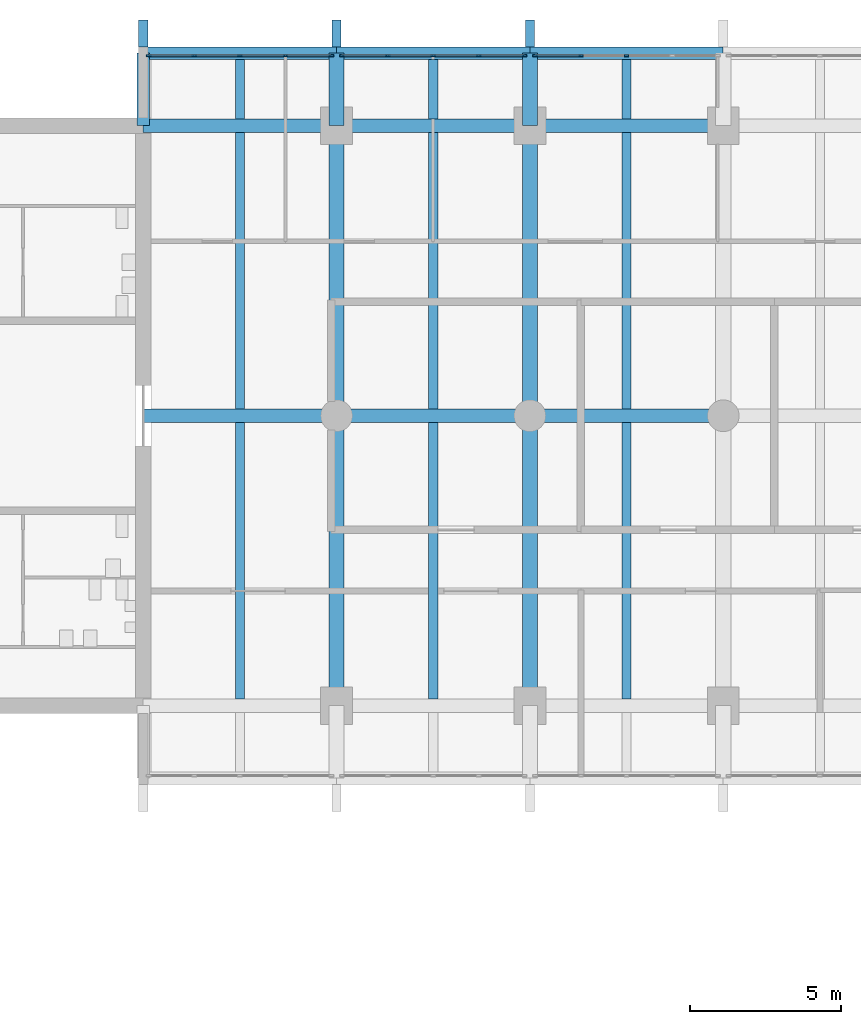
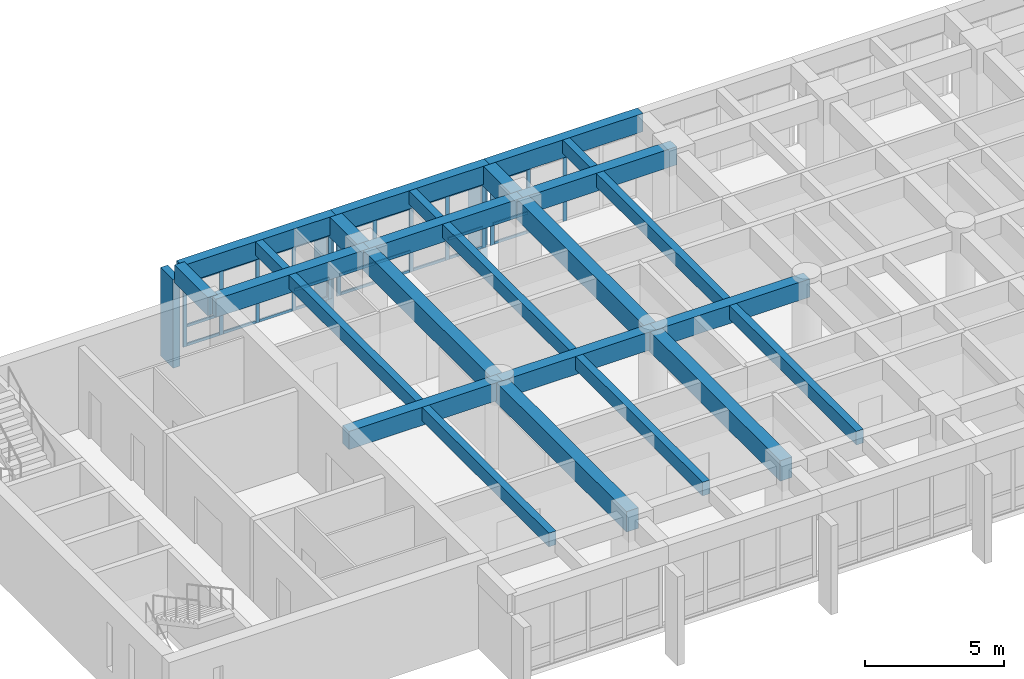
# One storey, part 4 of 19: 43 members, 25 beams, 3 elements without a shape of their own.
"""IFC4 building model written with IfcOpenShell, lengths in metres."""

from ifc_helpers import new_model, si_unit, direction, frame, origin, origin_2d, place, context, subcontext, project, spatial, rectangle, extrude, material, layer, layer_set, material_profile, profile_set, type_object, element, aggregate, save


model = new_model("IFC4")

# Units and contexts
model_context = context("Model", 3, precision=1e-05, world=origin(), true_north=direction((0.0, 1.0)))
body_context = subcontext(model_context, "Body", "Model", "MODEL_VIEW")
ifc_project = project(units=[si_unit("LENGTHUNIT", "METRE"), si_unit("AREAUNIT", "SQUARE_METRE"), si_unit("VOLUMEUNIT", "CUBIC_METRE"), si_unit("PLANEANGLEUNIT", "RADIAN"), si_unit("MASSUNIT", "GRAM", prefix="KILO")], contexts=[model_context])

# Site, building, storey
site_placement = place(None, origin())
site = spatial("IfcSite", under=ifc_project, at=site_placement, CompositionType="ELEMENT")
building_placement = place(site_placement, origin())
building = spatial("IfcBuilding", under=site, at=building_placement, Name="Fogon Plaza Fire Station and Headquarters Tower", CompositionType="ELEMENT")
storey_placement = place(building_placement, frame((0.0, 0.0, 21.0)))
storey = spatial("IfcBuildingStorey", under=building, at=storey_placement, Name="L05", CompositionType="ELEMENT", Elevation=21.0)

# Beams
ifc_material_1 = material(Name="Concrete C40", Category="concrete")
ifc_material_profile_1 = material_profile(ifc_material_1, rectangle(XDim=0.39990234375, YDim=0.800048828125, at=origin_2d()), Name="RC 400x800")
ifc_profile_set_1 = profile_set([ifc_material_profile_1], Name="Concrete C40")
beam_type_1 = type_object("IfcBeamType", Name="BEAM RC 400x800", PredefinedType="BEAM", material=ifc_profile_set_1)
for number, where, z_axis, x_axis, name in (
    (1, (25.60009765625, 55.199951171875, 3.280029296875), (1.0, 0.0, 0.0), (0.0, 1.0, 0.0), "beam-L05-045"),
    (2, (32.0, 55.199951171875, 3.280029296875), (1.0, 0.0, 0.0), (0.0, 1.0, 0.0), "beam-L05-046"),
):
    element("IfcBeam", number, at=place(storey_placement, frame(where, z_axis=z_axis, x_axis=x_axis)), inside=storey, type_object=beam_type_1, Name=name, PredefinedType="BEAM", context=body_context, shape_type="SweptSolid", body=[
        extrude(rectangle(XDim=0.39990234375, YDim=0.800048828125, at=origin_2d()), origin(), (0.0, 0.0, 1.0), 6.39990234375),
    ])
beam_1_placement = place(storey_placement, frame((38.39990234375, 55.199951171875, 3.280029296875), z_axis=(1.0, 0.0, 0.0), x_axis=(0.0, 1.0, 0.0)))
element("IfcBeam", 3, at=beam_1_placement, inside=storey, type_object=beam_type_1, Name="beam-L05-047", PredefinedType="BEAM", context=body_context, shape_type="SweptSolid", body=[
    extrude(rectangle(XDim=0.39990234375, YDim=0.800048828125, at=origin_2d()), origin(), (0.0, 0.0, 1.0), 6.400146484375),
])
ifc_material_2 = material(Name="Concrete C40", Category="concrete")
ifc_material_profile_2 = material_profile(ifc_material_2, rectangle(XDim=0.39990234375, YDim=0.800048828125, at=origin_2d()), Name="RC 400x800")
ifc_profile_set_2 = profile_set([ifc_material_profile_2], Name="Concrete C40")
beam_type_2 = type_object("IfcBeamType", Name="BEAM RC 400x800 SPAN 0.0 TO 3.0 M", PredefinedType="BEAM", material=ifc_profile_set_2)
beam_2_placement = place(storey_placement, frame((25.60009765625, 52.800048828125, 3.280029296875), z_axis=(0.0, 1.0, 0.0), x_axis=(-1.0, 0.0, 0.0)))
element("IfcBeam", 4, at=beam_2_placement, inside=storey, type_object=beam_type_2, Name="beam-L05-052", PredefinedType="BEAM", context=body_context, shape_type="SweptSolid", body=[
    extrude(rectangle(XDim=0.39990234375, YDim=0.800048828125, at=origin_2d()), origin(), (0.0, 0.0, 1.0), 2.39990234375),
])
ifc_material_3 = material(Name="Concrete C40", Category="concrete")
ifc_material_profile_3 = material_profile(ifc_material_3, rectangle(XDim=0.449951171875, YDim=0.800048828125, at=origin_2d()), Name="RC 450x800")
ifc_profile_set_3 = profile_set([ifc_material_profile_3], Name="Concrete C40")
beam_type_3 = type_object("IfcBeamType", Name="BEAM RC 450x800", PredefinedType="BEAM", material=ifc_profile_set_3)
for number, where, z_axis, x_axis, name in (
    (5, (25.60009765625, 43.199951171875, 3.280029296875), (1.0, 0.0, 0.0), (0.0, 1.0, 0.0), "beam-L05-027"),
    (6, (32.0, 43.199951171875, 3.280029296875), (1.0, 0.0, 0.0), (0.0, 1.0, 0.0), "beam-L05-028"),
):
    element("IfcBeam", number, at=place(storey_placement, frame(where, z_axis=z_axis, x_axis=x_axis)), inside=storey, type_object=beam_type_3, Name=name, PredefinedType="BEAM", context=body_context, shape_type="SweptSolid", body=[
        extrude(rectangle(XDim=0.449951171875, YDim=0.800048828125, at=origin_2d()), origin(), (0.0, 0.0, 1.0), 6.39990234375),
    ])
beam_3_placement = place(storey_placement, frame((38.39990234375, 43.199951171875, 3.280029296875), z_axis=(1.0, 0.0, 0.0), x_axis=(0.0, 1.0, 0.0)))
element("IfcBeam", 7, at=beam_3_placement, inside=storey, type_object=beam_type_3, Name="beam-L05-029", PredefinedType="BEAM", context=body_context, shape_type="SweptSolid", body=[
    extrude(rectangle(XDim=0.449951171875, YDim=0.800048828125, at=origin_2d()), origin(), (0.0, 0.0, 1.0), 6.400146484375),
])
for number, where, z_axis, x_axis, name in (
    (8, (25.60009765625, 52.800048828125, 3.280029296875), (1.0, 0.0, 0.0), (0.0, 1.0, 0.0), "beam-L05-033"),
    (9, (32.0, 52.800048828125, 3.280029296875), (1.0, 0.0, 0.0), (0.0, 1.0, 0.0), "beam-L05-034"),
):
    element("IfcBeam", number, at=place(storey_placement, frame(where, z_axis=z_axis, x_axis=x_axis)), inside=storey, type_object=beam_type_3, Name=name, PredefinedType="BEAM", context=body_context, shape_type="SweptSolid", body=[
        extrude(rectangle(XDim=0.449951171875, YDim=0.800048828125, at=origin_2d()), origin(), (0.0, 0.0, 1.0), 6.39990234375),
    ])
beam_4_placement = place(storey_placement, frame((38.39990234375, 52.800048828125, 3.280029296875), z_axis=(1.0, 0.0, 0.0), x_axis=(0.0, 1.0, 0.0)))
element("IfcBeam", 10, at=beam_4_placement, inside=storey, type_object=beam_type_3, Name="beam-L05-035", PredefinedType="BEAM", context=body_context, shape_type="SweptSolid", body=[
    extrude(rectangle(XDim=0.449951171875, YDim=0.800048828125, at=origin_2d()), origin(), (0.0, 0.0, 1.0), 6.400146484375),
])
ifc_material_4 = material(Name="Concrete C40", Category="concrete")
ifc_material_profile_4 = material_profile(ifc_material_4, rectangle(XDim=0.5, YDim=0.89990234375, at=origin_2d()), Name="RC 500x900")
ifc_profile_set_4 = profile_set([ifc_material_profile_4], Name="Concrete C40")
beam_type_4 = type_object("IfcBeamType", Name="BEAM RC 500x900 SPAN 0.0 TO 3.0 M", PredefinedType="BEAM", material=ifc_profile_set_4)
for number, where, z_axis, x_axis, name in (
    (11, (32.0, 52.800048828125, 3.22998046875), (0.0, 1.0, 0.0), (-1.0, 0.0, 0.0), "beam-L05-004"),
    (12, (38.39990234375, 52.800048828125, 3.22998046875), (0.0, 1.0, 0.0), (-1.0, 0.0, 0.0), "beam-L05-008"),
):
    element("IfcBeam", number, at=place(storey_placement, frame(where, z_axis=z_axis, x_axis=x_axis)), inside=storey, type_object=beam_type_4, Name=name, PredefinedType="BEAM", context=body_context, shape_type="SweptSolid", body=[
        extrude(rectangle(XDim=0.5, YDim=0.89990234375, at=origin_2d()), origin(), (0.0, 0.0, 1.0), 2.39990234375),
    ])
ifc_material_5 = material(Name="Concrete C40", Category="concrete")
ifc_material_profile_5 = material_profile(ifc_material_5, rectangle(XDim=0.5, YDim=0.89990234375, at=origin_2d()), Name="RC 500x900")
ifc_profile_set_5 = profile_set([ifc_material_profile_5], Name="Concrete C40")
beam_type_5 = type_object("IfcBeamType", Name="BEAM RC 500x900 SPAN 7.7 TO 12.3 M", PredefinedType="BEAM", material=ifc_profile_set_5)
beam_5_placement = place(storey_placement, frame((32.0, 33.60009765625, 3.22998046875), z_axis=(0.0, 1.0, 0.0), x_axis=(-1.0, 0.0, 0.0)))
element("IfcBeam", 13, at=beam_5_placement, inside=storey, type_object=beam_type_5, Name="beam-L05-002", PredefinedType="BEAM", context=body_context, shape_type="SweptSolid", body=[
    extrude(rectangle(XDim=0.5, YDim=0.89990234375, at=origin_2d()), origin(), (0.0, 0.0, 1.0), 9.599853515625),
])
beam_6_placement = place(storey_placement, frame((32.0, 43.199951171875, 3.22998046875), z_axis=(0.0, 1.0, 0.0), x_axis=(-1.0, 0.0, 0.0)))
element("IfcBeam", 14, at=beam_6_placement, inside=storey, type_object=beam_type_5, Name="beam-L05-003", PredefinedType="BEAM", context=body_context, shape_type="SweptSolid", body=[
    extrude(rectangle(XDim=0.5, YDim=0.89990234375, at=origin_2d()), origin(), (0.0, 0.0, 1.0), 9.60009765625),
])
beam_7_placement = place(storey_placement, frame((38.39990234375, 33.60009765625, 3.22998046875), z_axis=(0.0, 1.0, 0.0), x_axis=(-1.0, 0.0, 0.0)))
element("IfcBeam", 15, at=beam_7_placement, inside=storey, type_object=beam_type_5, Name="beam-L05-006", PredefinedType="BEAM", context=body_context, shape_type="SweptSolid", body=[
    extrude(rectangle(XDim=0.5, YDim=0.89990234375, at=origin_2d()), origin(), (0.0, 0.0, 1.0), 9.599853515625),
])
beam_8_placement = place(storey_placement, frame((38.39990234375, 43.199951171875, 3.22998046875), z_axis=(0.0, 1.0, 0.0), x_axis=(-1.0, 0.0, 0.0)))
element("IfcBeam", 16, at=beam_8_placement, inside=storey, type_object=beam_type_5, Name="beam-L05-007", PredefinedType="BEAM", context=body_context, shape_type="SweptSolid", body=[
    extrude(rectangle(XDim=0.5, YDim=0.89990234375, at=origin_2d()), origin(), (0.0, 0.0, 1.0), 9.60009765625),
])

# Curtain wall, members
ifc_material_6 = material(Name="Aluminium and glass", Category="aluminium")
ifc_layer = layer(ifc_material_6, 0.14990234375)
ifc_layer_set = layer_set([ifc_layer], Name="Aluminium and glass")
curtain_wall_type = type_object("IfcCurtainWallType", Name="Unitised Curtain Wall Run 6100x2880", PredefinedType="NOTDEFINED", material=ifc_layer_set)
curtain_wall_1_placement = place(storey_placement, origin())
curtain_wall_1 = element("IfcCurtainWall", 17, at=curtain_wall_1_placement, inside=storey, type_object=curtain_wall_type, Name="CW-6100x2880 N1 L05", PredefinedType="NOTDEFINED")
ifc_material_7 = material(Name="Aluminium", Category="aluminium")
ifc_material_profile_6 = material_profile(ifc_material_7, rectangle(XDim=0.06005859375, YDim=0.159912109375, at=origin_2d()), Name="Curtain Wall Mullion 60x160")
ifc_profile_set_6 = profile_set([ifc_material_profile_6], Name="Aluminium")
member_type_1 = type_object("IfcMemberType", Name="Curtain Wall Mullion 60x160", PredefinedType="MULLION", material=ifc_profile_set_6)
member_1_placement = place(storey_placement, frame((25.780029296875, 55.1201171875, 0.0), z_axis=(0.0, 0.0, 1.0), x_axis=(0.0, 1.0, 0.0)))
member_1 = element("IfcMember", 18, at=member_1_placement, type_object=member_type_1, Name="CW-6100x2880 mullion 1", PredefinedType="MULLION", context=body_context, shape_type="SweptSolid", body=[
    extrude(rectangle(XDim=0.06005859375, YDim=0.159912109375, at=origin_2d()), origin(), (0.0, 0.0, 1.0), 2.8798828125),
])
member_2_placement = place(storey_placement, frame((27.2900390625, 55.1201171875, 0.0), z_axis=(0.0, 0.0, 1.0), x_axis=(0.0, 1.0, 0.0)))
member_2 = element("IfcMember", 19, at=member_2_placement, type_object=member_type_1, Name="CW-6100x2880 mullion 2", PredefinedType="MULLION", context=body_context, shape_type="SweptSolid", body=[
    extrude(rectangle(XDim=0.06005859375, YDim=0.159912109375, at=origin_2d()), origin(), (0.0, 0.0, 1.0), 2.8798828125),
])
member_3_placement = place(storey_placement, frame((28.800048828125, 55.1201171875, 0.0), z_axis=(0.0, 0.0, 1.0), x_axis=(0.0, 1.0, 0.0)))
member_3 = element("IfcMember", 20, at=member_3_placement, type_object=member_type_1, Name="CW-6100x2880 mullion 3", PredefinedType="MULLION", context=body_context, shape_type="SweptSolid", body=[
    extrude(rectangle(XDim=0.06005859375, YDim=0.159912109375, at=origin_2d()), origin(), (0.0, 0.0, 1.0), 2.8798828125),
])
member_4_placement = place(storey_placement, frame((30.31005859375, 55.1201171875, 0.0), z_axis=(0.0, 0.0, 1.0), x_axis=(0.0, 1.0, 0.0)))
member_4 = element("IfcMember", 21, at=member_4_placement, type_object=member_type_1, Name="CW-6100x2880 mullion 4", PredefinedType="MULLION", context=body_context, shape_type="SweptSolid", body=[
    extrude(rectangle(XDim=0.06005859375, YDim=0.159912109375, at=origin_2d()), origin(), (0.0, 0.0, 1.0), 2.8798828125),
])
member_5_placement = place(storey_placement, frame((31.820068359375, 55.1201171875, 0.0), z_axis=(0.0, 0.0, 1.0), x_axis=(0.0, 1.0, 0.0)))
member_5 = element("IfcMember", 22, at=member_5_placement, type_object=member_type_1, Name="CW-6100x2880 mullion 5", PredefinedType="MULLION", context=body_context, shape_type="SweptSolid", body=[
    extrude(rectangle(XDim=0.06005859375, YDim=0.159912109375, at=origin_2d()), origin(), (0.0, 0.0, 1.0), 2.8798828125),
])

curtain_wall_2_placement = place(storey_placement, origin())
curtain_wall_2 = element("IfcCurtainWall", 23, at=curtain_wall_2_placement, inside=storey, type_object=curtain_wall_type, Name="CW-6100x2880 N2 L05", PredefinedType="NOTDEFINED")
member_6_placement = place(storey_placement, frame((32.179931640625, 55.1201171875, 0.0), z_axis=(0.0, 0.0, 1.0), x_axis=(0.0, 1.0, 0.0)))
member_6 = element("IfcMember", 24, at=member_6_placement, type_object=member_type_1, Name="CW-6100x2880 mullion 1", PredefinedType="MULLION", context=body_context, shape_type="SweptSolid", body=[
    extrude(rectangle(XDim=0.06005859375, YDim=0.159912109375, at=origin_2d()), origin(), (0.0, 0.0, 1.0), 2.8798828125),
])
member_7_placement = place(storey_placement, frame((33.68994140625, 55.1201171875, 0.0), z_axis=(0.0, 0.0, 1.0), x_axis=(0.0, 1.0, 0.0)))
member_7 = element("IfcMember", 25, at=member_7_placement, type_object=member_type_1, Name="CW-6100x2880 mullion 2", PredefinedType="MULLION", context=body_context, shape_type="SweptSolid", body=[
    extrude(rectangle(XDim=0.06005859375, YDim=0.159912109375, at=origin_2d()), origin(), (0.0, 0.0, 1.0), 2.8798828125),
])
member_8_placement = place(storey_placement, frame((35.199951171875, 55.1201171875, 0.0), z_axis=(0.0, 0.0, 1.0), x_axis=(0.0, 1.0, 0.0)))
member_8 = element("IfcMember", 26, at=member_8_placement, type_object=member_type_1, Name="CW-6100x2880 mullion 3", PredefinedType="MULLION", context=body_context, shape_type="SweptSolid", body=[
    extrude(rectangle(XDim=0.06005859375, YDim=0.159912109375, at=origin_2d()), origin(), (0.0, 0.0, 1.0), 2.8798828125),
])
member_9_placement = place(storey_placement, frame((36.7099609375, 55.1201171875, 0.0), z_axis=(0.0, 0.0, 1.0), x_axis=(0.0, 1.0, 0.0)))
member_9 = element("IfcMember", 27, at=member_9_placement, type_object=member_type_1, Name="CW-6100x2880 mullion 4", PredefinedType="MULLION", context=body_context, shape_type="SweptSolid", body=[
    extrude(rectangle(XDim=0.06005859375, YDim=0.159912109375, at=origin_2d()), origin(), (0.0, 0.0, 1.0), 2.8798828125),
])
member_10_placement = place(storey_placement, frame((38.219970703125, 55.1201171875, 0.0), z_axis=(0.0, 0.0, 1.0), x_axis=(0.0, 1.0, 0.0)))
member_10 = element("IfcMember", 28, at=member_10_placement, type_object=member_type_1, Name="CW-6100x2880 mullion 5", PredefinedType="MULLION", context=body_context, shape_type="SweptSolid", body=[
    extrude(rectangle(XDim=0.06005859375, YDim=0.159912109375, at=origin_2d()), origin(), (0.0, 0.0, 1.0), 2.8798828125),
])

curtain_wall_3_placement = place(storey_placement, origin())
curtain_wall_3 = element("IfcCurtainWall", 29, at=curtain_wall_3_placement, inside=storey, type_object=curtain_wall_type, Name="CW-6100x2880 N3 L05", PredefinedType="NOTDEFINED")
member_11_placement = place(storey_placement, frame((38.580078125, 55.1201171875, 0.0), z_axis=(0.0, 0.0, 1.0), x_axis=(0.0, 1.0, 0.0)))
member_11 = element("IfcMember", 30, at=member_11_placement, type_object=member_type_1, Name="CW-6100x2880 mullion 1", PredefinedType="MULLION", context=body_context, shape_type="SweptSolid", body=[
    extrude(rectangle(XDim=0.06005859375, YDim=0.159912109375, at=origin_2d()), origin(), (0.0, 0.0, 1.0), 2.8798828125),
])
member_12_placement = place(storey_placement, frame((40.090087890625, 55.1201171875, 0.0), z_axis=(0.0, 0.0, 1.0), x_axis=(0.0, 1.0, 0.0)))
member_12 = element("IfcMember", 31, at=member_12_placement, type_object=member_type_1, Name="CW-6100x2880 mullion 2", PredefinedType="MULLION", context=body_context, shape_type="SweptSolid", body=[
    extrude(rectangle(XDim=0.06005859375, YDim=0.159912109375, at=origin_2d()), origin(), (0.0, 0.0, 1.0), 2.8798828125),
])
member_13_placement = place(storey_placement, frame((41.60009765625, 55.1201171875, 0.0), z_axis=(0.0, 0.0, 1.0), x_axis=(0.0, 1.0, 0.0)))
member_13 = element("IfcMember", 32, at=member_13_placement, type_object=member_type_1, Name="CW-6100x2880 mullion 3", PredefinedType="MULLION", context=body_context, shape_type="SweptSolid", body=[
    extrude(rectangle(XDim=0.06005859375, YDim=0.159912109375, at=origin_2d()), origin(), (0.0, 0.0, 1.0), 2.8798828125),
])

# Member
ifc_material_8 = material(Name="Aluminium", Category="aluminium")
ifc_material_profile_7 = material_profile(ifc_material_8, rectangle(XDim=0.06005859375, YDim=0.1201171875, at=origin_2d()), Name="Curtain Wall Transom 60x120")
ifc_profile_set_7 = profile_set([ifc_material_profile_7], Name="Aluminium")
member_type_2 = type_object("IfcMemberType", Name="Curtain Wall Transom 60x120", PredefinedType="USERDEFINED", material=ifc_profile_set_7)
member_14_placement = place(storey_placement, frame((25.81005859375, 55.1201171875, 0.06005859375), z_axis=(1.0, 0.0, 0.0), x_axis=(0.0, 1.0, 0.0)))
member_14 = element("IfcMember", 33, at=member_14_placement, type_object=member_type_2, Name="CW-6100x2880 transom 1.1", ObjectType="TRANSOM", PredefinedType="USERDEFINED", context=body_context, shape_type="SweptSolid", body=[
    extrude(rectangle(XDim=0.06005859375, YDim=0.1201171875, at=origin_2d()), origin(), (0.0, 0.0, 1.0), 1.449951171875),
])

member_15_placement = place(storey_placement, frame((25.81005859375, 55.1201171875, 0.89990234375), z_axis=(1.0, 0.0, 0.0), x_axis=(0.0, 1.0, 0.0)))
member_15 = element("IfcMember", 34, at=member_15_placement, type_object=member_type_2, Name="CW-6100x2880 transom 1.2", ObjectType="TRANSOM", PredefinedType="USERDEFINED", context=body_context, shape_type="SweptSolid", body=[
    extrude(rectangle(XDim=0.06005859375, YDim=0.1201171875, at=origin_2d()), origin(), (0.0, 0.0, 1.0), 1.449951171875),
])

member_16_placement = place(storey_placement, frame((25.81005859375, 55.1201171875, 2.820068359375), z_axis=(1.0, 0.0, 0.0), x_axis=(0.0, 1.0, 0.0)))
member_16 = element("IfcMember", 35, at=member_16_placement, type_object=member_type_2, Name="CW-6100x2880 transom 1.3", ObjectType="TRANSOM", PredefinedType="USERDEFINED", context=body_context, shape_type="SweptSolid", body=[
    extrude(rectangle(XDim=0.06005859375, YDim=0.1201171875, at=origin_2d()), origin(), (0.0, 0.0, 1.0), 1.449951171875),
])

member_17_placement = place(storey_placement, frame((27.320068359375, 55.1201171875, 0.06005859375), z_axis=(1.0, 0.0, 0.0), x_axis=(0.0, 1.0, 0.0)))
member_17 = element("IfcMember", 36, at=member_17_placement, type_object=member_type_2, Name="CW-6100x2880 transom 2.1", ObjectType="TRANSOM", PredefinedType="USERDEFINED", context=body_context, shape_type="SweptSolid", body=[
    extrude(rectangle(XDim=0.06005859375, YDim=0.1201171875, at=origin_2d()), origin(), (0.0, 0.0, 1.0), 1.449951171875),
])

member_18_placement = place(storey_placement, frame((27.320068359375, 55.1201171875, 0.89990234375), z_axis=(1.0, 0.0, 0.0), x_axis=(0.0, 1.0, 0.0)))
member_18 = element("IfcMember", 37, at=member_18_placement, type_object=member_type_2, Name="CW-6100x2880 transom 2.2", ObjectType="TRANSOM", PredefinedType="USERDEFINED", context=body_context, shape_type="SweptSolid", body=[
    extrude(rectangle(XDim=0.06005859375, YDim=0.1201171875, at=origin_2d()), origin(), (0.0, 0.0, 1.0), 1.449951171875),
])

member_19_placement = place(storey_placement, frame((27.320068359375, 55.1201171875, 2.820068359375), z_axis=(1.0, 0.0, 0.0), x_axis=(0.0, 1.0, 0.0)))
member_19 = element("IfcMember", 38, at=member_19_placement, type_object=member_type_2, Name="CW-6100x2880 transom 2.3", ObjectType="TRANSOM", PredefinedType="USERDEFINED", context=body_context, shape_type="SweptSolid", body=[
    extrude(rectangle(XDim=0.06005859375, YDim=0.1201171875, at=origin_2d()), origin(), (0.0, 0.0, 1.0), 1.449951171875),
])

member_20_placement = place(storey_placement, frame((28.830078125, 55.1201171875, 0.06005859375), z_axis=(1.0, 0.0, 0.0), x_axis=(0.0, 1.0, 0.0)))
member_20 = element("IfcMember", 39, at=member_20_placement, type_object=member_type_2, Name="CW-6100x2880 transom 3.1", ObjectType="TRANSOM", PredefinedType="USERDEFINED", context=body_context, shape_type="SweptSolid", body=[
    extrude(rectangle(XDim=0.06005859375, YDim=0.1201171875, at=origin_2d()), origin(), (0.0, 0.0, 1.0), 1.449951171875),
])

member_21_placement = place(storey_placement, frame((28.830078125, 55.1201171875, 0.89990234375), z_axis=(1.0, 0.0, 0.0), x_axis=(0.0, 1.0, 0.0)))
member_21 = element("IfcMember", 40, at=member_21_placement, type_object=member_type_2, Name="CW-6100x2880 transom 3.2", ObjectType="TRANSOM", PredefinedType="USERDEFINED", context=body_context, shape_type="SweptSolid", body=[
    extrude(rectangle(XDim=0.06005859375, YDim=0.1201171875, at=origin_2d()), origin(), (0.0, 0.0, 1.0), 1.449951171875),
])

member_22_placement = place(storey_placement, frame((28.830078125, 55.1201171875, 2.820068359375), z_axis=(1.0, 0.0, 0.0), x_axis=(0.0, 1.0, 0.0)))
member_22 = element("IfcMember", 41, at=member_22_placement, type_object=member_type_2, Name="CW-6100x2880 transom 3.3", ObjectType="TRANSOM", PredefinedType="USERDEFINED", context=body_context, shape_type="SweptSolid", body=[
    extrude(rectangle(XDim=0.06005859375, YDim=0.1201171875, at=origin_2d()), origin(), (0.0, 0.0, 1.0), 1.449951171875),
])

member_23_placement = place(storey_placement, frame((30.340087890625, 55.1201171875, 0.06005859375), z_axis=(1.0, 0.0, 0.0), x_axis=(0.0, 1.0, 0.0)))
member_23 = element("IfcMember", 42, at=member_23_placement, type_object=member_type_2, Name="CW-6100x2880 transom 4.1", ObjectType="TRANSOM", PredefinedType="USERDEFINED", context=body_context, shape_type="SweptSolid", body=[
    extrude(rectangle(XDim=0.06005859375, YDim=0.1201171875, at=origin_2d()), origin(), (0.0, 0.0, 1.0), 1.449951171875),
])

member_24_placement = place(storey_placement, frame((30.340087890625, 55.1201171875, 0.89990234375), z_axis=(1.0, 0.0, 0.0), x_axis=(0.0, 1.0, 0.0)))
member_24 = element("IfcMember", 43, at=member_24_placement, type_object=member_type_2, Name="CW-6100x2880 transom 4.2", ObjectType="TRANSOM", PredefinedType="USERDEFINED", context=body_context, shape_type="SweptSolid", body=[
    extrude(rectangle(XDim=0.06005859375, YDim=0.1201171875, at=origin_2d()), origin(), (0.0, 0.0, 1.0), 1.449951171875),
])

member_25_placement = place(storey_placement, frame((30.340087890625, 55.1201171875, 2.820068359375), z_axis=(1.0, 0.0, 0.0), x_axis=(0.0, 1.0, 0.0)))
member_25 = element("IfcMember", 44, at=member_25_placement, type_object=member_type_2, Name="CW-6100x2880 transom 4.3", ObjectType="TRANSOM", PredefinedType="USERDEFINED", context=body_context, shape_type="SweptSolid", body=[
    extrude(rectangle(XDim=0.06005859375, YDim=0.1201171875, at=origin_2d()), origin(), (0.0, 0.0, 1.0), 1.449951171875),
])

aggregate(curtain_wall_1, [member_1, member_2, member_3, member_4, member_5, member_14, member_15, member_16, member_17, member_18, member_19, member_20, member_21, member_22, member_23, member_24, member_25])

member_26_placement = place(storey_placement, frame((32.2099609375, 55.1201171875, 0.06005859375), z_axis=(1.0, 0.0, 0.0), x_axis=(0.0, 1.0, 0.0)))
member_26 = element("IfcMember", 45, at=member_26_placement, type_object=member_type_2, Name="CW-6100x2880 transom 1.1", ObjectType="TRANSOM", PredefinedType="USERDEFINED", context=body_context, shape_type="SweptSolid", body=[
    extrude(rectangle(XDim=0.06005859375, YDim=0.1201171875, at=origin_2d()), origin(), (0.0, 0.0, 1.0), 1.449951171875),
])

member_27_placement = place(storey_placement, frame((32.2099609375, 55.1201171875, 0.89990234375), z_axis=(1.0, 0.0, 0.0), x_axis=(0.0, 1.0, 0.0)))
member_27 = element("IfcMember", 46, at=member_27_placement, type_object=member_type_2, Name="CW-6100x2880 transom 1.2", ObjectType="TRANSOM", PredefinedType="USERDEFINED", context=body_context, shape_type="SweptSolid", body=[
    extrude(rectangle(XDim=0.06005859375, YDim=0.1201171875, at=origin_2d()), origin(), (0.0, 0.0, 1.0), 1.449951171875),
])

member_28_placement = place(storey_placement, frame((32.2099609375, 55.1201171875, 2.820068359375), z_axis=(1.0, 0.0, 0.0), x_axis=(0.0, 1.0, 0.0)))
member_28 = element("IfcMember", 47, at=member_28_placement, type_object=member_type_2, Name="CW-6100x2880 transom 1.3", ObjectType="TRANSOM", PredefinedType="USERDEFINED", context=body_context, shape_type="SweptSolid", body=[
    extrude(rectangle(XDim=0.06005859375, YDim=0.1201171875, at=origin_2d()), origin(), (0.0, 0.0, 1.0), 1.449951171875),
])

member_29_placement = place(storey_placement, frame((33.719970703125, 55.1201171875, 0.06005859375), z_axis=(1.0, 0.0, 0.0), x_axis=(0.0, 1.0, 0.0)))
member_29 = element("IfcMember", 48, at=member_29_placement, type_object=member_type_2, Name="CW-6100x2880 transom 2.1", ObjectType="TRANSOM", PredefinedType="USERDEFINED", context=body_context, shape_type="SweptSolid", body=[
    extrude(rectangle(XDim=0.06005859375, YDim=0.1201171875, at=origin_2d()), origin(), (0.0, 0.0, 1.0), 1.449951171875),
])

member_30_placement = place(storey_placement, frame((33.719970703125, 55.1201171875, 0.89990234375), z_axis=(1.0, 0.0, 0.0), x_axis=(0.0, 1.0, 0.0)))
member_30 = element("IfcMember", 49, at=member_30_placement, type_object=member_type_2, Name="CW-6100x2880 transom 2.2", ObjectType="TRANSOM", PredefinedType="USERDEFINED", context=body_context, shape_type="SweptSolid", body=[
    extrude(rectangle(XDim=0.06005859375, YDim=0.1201171875, at=origin_2d()), origin(), (0.0, 0.0, 1.0), 1.449951171875),
])

member_31_placement = place(storey_placement, frame((33.719970703125, 55.1201171875, 2.820068359375), z_axis=(1.0, 0.0, 0.0), x_axis=(0.0, 1.0, 0.0)))
member_31 = element("IfcMember", 50, at=member_31_placement, type_object=member_type_2, Name="CW-6100x2880 transom 2.3", ObjectType="TRANSOM", PredefinedType="USERDEFINED", context=body_context, shape_type="SweptSolid", body=[
    extrude(rectangle(XDim=0.06005859375, YDim=0.1201171875, at=origin_2d()), origin(), (0.0, 0.0, 1.0), 1.449951171875),
])

member_32_placement = place(storey_placement, frame((35.22998046875, 55.1201171875, 0.06005859375), z_axis=(1.0, 0.0, 0.0), x_axis=(0.0, 1.0, 0.0)))
member_32 = element("IfcMember", 51, at=member_32_placement, type_object=member_type_2, Name="CW-6100x2880 transom 3.1", ObjectType="TRANSOM", PredefinedType="USERDEFINED", context=body_context, shape_type="SweptSolid", body=[
    extrude(rectangle(XDim=0.06005859375, YDim=0.1201171875, at=origin_2d()), origin(), (0.0, 0.0, 1.0), 1.449951171875),
])

member_33_placement = place(storey_placement, frame((35.22998046875, 55.1201171875, 0.89990234375), z_axis=(1.0, 0.0, 0.0), x_axis=(0.0, 1.0, 0.0)))
member_33 = element("IfcMember", 52, at=member_33_placement, type_object=member_type_2, Name="CW-6100x2880 transom 3.2", ObjectType="TRANSOM", PredefinedType="USERDEFINED", context=body_context, shape_type="SweptSolid", body=[
    extrude(rectangle(XDim=0.06005859375, YDim=0.1201171875, at=origin_2d()), origin(), (0.0, 0.0, 1.0), 1.449951171875),
])

member_34_placement = place(storey_placement, frame((35.22998046875, 55.1201171875, 2.820068359375), z_axis=(1.0, 0.0, 0.0), x_axis=(0.0, 1.0, 0.0)))
member_34 = element("IfcMember", 53, at=member_34_placement, type_object=member_type_2, Name="CW-6100x2880 transom 3.3", ObjectType="TRANSOM", PredefinedType="USERDEFINED", context=body_context, shape_type="SweptSolid", body=[
    extrude(rectangle(XDim=0.06005859375, YDim=0.1201171875, at=origin_2d()), origin(), (0.0, 0.0, 1.0), 1.449951171875),
])

member_35_placement = place(storey_placement, frame((36.739990234375, 55.1201171875, 0.06005859375), z_axis=(1.0, 0.0, 0.0), x_axis=(0.0, 1.0, 0.0)))
member_35 = element("IfcMember", 54, at=member_35_placement, type_object=member_type_2, Name="CW-6100x2880 transom 4.1", ObjectType="TRANSOM", PredefinedType="USERDEFINED", context=body_context, shape_type="SweptSolid", body=[
    extrude(rectangle(XDim=0.06005859375, YDim=0.1201171875, at=origin_2d()), origin(), (0.0, 0.0, 1.0), 1.449951171875),
])

member_36_placement = place(storey_placement, frame((36.739990234375, 55.1201171875, 0.89990234375), z_axis=(1.0, 0.0, 0.0), x_axis=(0.0, 1.0, 0.0)))
member_36 = element("IfcMember", 55, at=member_36_placement, type_object=member_type_2, Name="CW-6100x2880 transom 4.2", ObjectType="TRANSOM", PredefinedType="USERDEFINED", context=body_context, shape_type="SweptSolid", body=[
    extrude(rectangle(XDim=0.06005859375, YDim=0.1201171875, at=origin_2d()), origin(), (0.0, 0.0, 1.0), 1.449951171875),
])

member_37_placement = place(storey_placement, frame((36.739990234375, 55.1201171875, 2.820068359375), z_axis=(1.0, 0.0, 0.0), x_axis=(0.0, 1.0, 0.0)))
member_37 = element("IfcMember", 56, at=member_37_placement, type_object=member_type_2, Name="CW-6100x2880 transom 4.3", ObjectType="TRANSOM", PredefinedType="USERDEFINED", context=body_context, shape_type="SweptSolid", body=[
    extrude(rectangle(XDim=0.06005859375, YDim=0.1201171875, at=origin_2d()), origin(), (0.0, 0.0, 1.0), 1.449951171875),
])

aggregate(curtain_wall_2, [member_6, member_7, member_8, member_9, member_10, member_26, member_27, member_28, member_29, member_30, member_31, member_32, member_33, member_34, member_35, member_36, member_37])

member_38_placement = place(storey_placement, frame((38.610107421875, 55.1201171875, 0.06005859375), z_axis=(1.0, 0.0, 0.0), x_axis=(0.0, 1.0, 0.0)))
member_38 = element("IfcMember", 57, at=member_38_placement, type_object=member_type_2, Name="CW-6100x2880 transom 1.1", ObjectType="TRANSOM", PredefinedType="USERDEFINED", context=body_context, shape_type="SweptSolid", body=[
    extrude(rectangle(XDim=0.06005859375, YDim=0.1201171875, at=origin_2d()), origin(), (0.0, 0.0, 1.0), 1.449951171875),
])

member_39_placement = place(storey_placement, frame((38.610107421875, 55.1201171875, 0.89990234375), z_axis=(1.0, 0.0, 0.0), x_axis=(0.0, 1.0, 0.0)))
member_39 = element("IfcMember", 58, at=member_39_placement, type_object=member_type_2, Name="CW-6100x2880 transom 1.2", ObjectType="TRANSOM", PredefinedType="USERDEFINED", context=body_context, shape_type="SweptSolid", body=[
    extrude(rectangle(XDim=0.06005859375, YDim=0.1201171875, at=origin_2d()), origin(), (0.0, 0.0, 1.0), 1.449951171875),
])

member_40_placement = place(storey_placement, frame((38.610107421875, 55.1201171875, 2.820068359375), z_axis=(1.0, 0.0, 0.0), x_axis=(0.0, 1.0, 0.0)))
member_40 = element("IfcMember", 59, at=member_40_placement, type_object=member_type_2, Name="CW-6100x2880 transom 1.3", ObjectType="TRANSOM", PredefinedType="USERDEFINED", context=body_context, shape_type="SweptSolid", body=[
    extrude(rectangle(XDim=0.06005859375, YDim=0.1201171875, at=origin_2d()), origin(), (0.0, 0.0, 1.0), 1.449951171875),
])

aggregate(curtain_wall_3, [member_11, member_12, member_13, member_38, member_39, member_40])

# Beams
ifc_material_9 = material(Name="Concrete C40", Category="concrete")
ifc_material_profile_8 = material_profile(ifc_material_9, rectangle(XDim=0.300048828125, YDim=0.60009765625, at=origin_2d()), Name="RC 300x600")
ifc_profile_set_8 = profile_set([ifc_material_profile_8], Name="Concrete C40")
beam_type_6 = type_object("IfcBeamType", Name="JOIST RC 300x600", PredefinedType="JOIST", material=ifc_profile_set_8)
beam_9_placement = place(storey_placement, frame((28.800048828125, 33.824951171875, 3.3798828125), z_axis=(0.0, 1.0, 0.0), x_axis=(-1.0, 0.0, 0.0)))
element("IfcBeam", 60, at=beam_9_placement, inside=storey, type_object=beam_type_6, Name="beam-L05-056", PredefinedType="JOIST", context=body_context, shape_type="SweptSolid", body=[
    extrude(rectangle(XDim=0.300048828125, YDim=0.60009765625, at=origin_2d()), origin(), (0.0, 0.0, 1.0), 9.150146484375),
])
beam_10_placement = place(storey_placement, frame((28.800048828125, 43.425048828125, 3.3798828125), z_axis=(0.0, 1.0, 0.0), x_axis=(-1.0, 0.0, 0.0)))
element("IfcBeam", 61, at=beam_10_placement, inside=storey, type_object=beam_type_6, Name="beam-L05-057", PredefinedType="JOIST", context=body_context, shape_type="SweptSolid", body=[
    extrude(rectangle(XDim=0.300048828125, YDim=0.60009765625, at=origin_2d()), origin(), (0.0, 0.0, 1.0), 9.14990234375),
])
beam_11_placement = place(storey_placement, frame((35.199951171875, 33.824951171875, 3.3798828125), z_axis=(0.0, 1.0, 0.0), x_axis=(-1.0, 0.0, 0.0)))
element("IfcBeam", 62, at=beam_11_placement, inside=storey, type_object=beam_type_6, Name="beam-L05-060", PredefinedType="JOIST", context=body_context, shape_type="SweptSolid", body=[
    extrude(rectangle(XDim=0.300048828125, YDim=0.60009765625, at=origin_2d()), origin(), (0.0, 0.0, 1.0), 9.150146484375),
])
beam_12_placement = place(storey_placement, frame((35.199951171875, 43.425048828125, 3.3798828125), z_axis=(0.0, 1.0, 0.0), x_axis=(-1.0, 0.0, 0.0)))
element("IfcBeam", 63, at=beam_12_placement, inside=storey, type_object=beam_type_6, Name="beam-L05-061", PredefinedType="JOIST", context=body_context, shape_type="SweptSolid", body=[
    extrude(rectangle(XDim=0.300048828125, YDim=0.60009765625, at=origin_2d()), origin(), (0.0, 0.0, 1.0), 9.14990234375),
])
beam_13_placement = place(storey_placement, frame((41.60009765625, 33.824951171875, 3.3798828125), z_axis=(0.0, 1.0, 0.0), x_axis=(-1.0, 0.0, 0.0)))
element("IfcBeam", 64, at=beam_13_placement, inside=storey, type_object=beam_type_6, Name="beam-L05-064", PredefinedType="JOIST", context=body_context, shape_type="SweptSolid", body=[
    extrude(rectangle(XDim=0.300048828125, YDim=0.60009765625, at=origin_2d()), origin(), (0.0, 0.0, 1.0), 9.150146484375),
])
beam_14_placement = place(storey_placement, frame((41.60009765625, 43.425048828125, 3.3798828125), z_axis=(0.0, 1.0, 0.0), x_axis=(-1.0, 0.0, 0.0)))
element("IfcBeam", 65, at=beam_14_placement, inside=storey, type_object=beam_type_6, Name="beam-L05-065", PredefinedType="JOIST", context=body_context, shape_type="SweptSolid", body=[
    extrude(rectangle(XDim=0.300048828125, YDim=0.60009765625, at=origin_2d()), origin(), (0.0, 0.0, 1.0), 9.14990234375),
])
ifc_material_10 = material(Name="Concrete C40", Category="concrete")
ifc_material_profile_9 = material_profile(ifc_material_10, rectangle(XDim=0.300048828125, YDim=0.60009765625, at=origin_2d()), Name="RC 300x600")
ifc_profile_set_9 = profile_set([ifc_material_profile_9], Name="Concrete C40")
beam_type_7 = type_object("IfcBeamType", Name="JOIST RC 300x600 SPAN 0.0 TO 3.0 M", PredefinedType="JOIST", material=ifc_profile_set_9)
for number, where, z_axis, x_axis, name in (
    (66, (28.800048828125, 53.02490234375, 3.3798828125), (0.0, 1.0, 0.0), (-1.0, 0.0, 0.0), "beam-L05-058"),
    (67, (35.199951171875, 53.02490234375, 3.3798828125), (0.0, 1.0, 0.0), (-1.0, 0.0, 0.0), "beam-L05-062"),
    (68, (41.60009765625, 53.02490234375, 3.3798828125), (0.0, 1.0, 0.0), (-1.0, 0.0, 0.0), "beam-L05-066"),
):
    element("IfcBeam", number, at=place(storey_placement, frame(where, z_axis=z_axis, x_axis=x_axis)), inside=storey, type_object=beam_type_7, Name=name, PredefinedType="JOIST", context=body_context, shape_type="SweptSolid", body=[
        extrude(rectangle(XDim=0.300048828125, YDim=0.60009765625, at=origin_2d()), origin(), (0.0, 0.0, 1.0), 1.97509765625),
    ])

# Members
ifc_material_11 = material(Name="Concrete C40 precast", Category="concrete")
ifc_material_profile_10 = material_profile(ifc_material_11, rectangle(XDim=0.300048828125, YDim=0.89990234375, at=origin_2d()), Name="Precast Concrete Post 300x900")
ifc_profile_set_10 = profile_set([ifc_material_profile_10], Name="Concrete C40 precast")
member_type_3 = type_object("IfcMemberType", Name="Precast Concrete Post 300x900", PredefinedType="POST", material=ifc_profile_set_10)
for number, where, z_axis, x_axis, name in (
    (69, (25.60009765625, 55.85009765625, -1.02001953125), (0.0, 0.0, 1.0), (1.0, 0.0, 0.0), "Precast Post N L05"),
    (70, (32.0, 55.85009765625, -1.02001953125), (0.0, 0.0, 1.0), (1.0, 0.0, 0.0), "Precast Post N L05"),
    (71, (38.39990234375, 55.85009765625, -1.02001953125), (0.0, 0.0, 1.0), (1.0, 0.0, 0.0), "Precast Post N L05"),
):
    element("IfcMember", number, at=place(storey_placement, frame(where, z_axis=z_axis, x_axis=x_axis)), inside=storey, type_object=member_type_3, Name=name, PredefinedType="POST", context=body_context, shape_type="SweptSolid", body=[
        extrude(rectangle(XDim=0.300048828125, YDim=0.89990234375, at=origin_2d()), origin(), (0.0, 0.0, 1.0), 3.89990234375),
    ])

save(model, "model.ifc")
